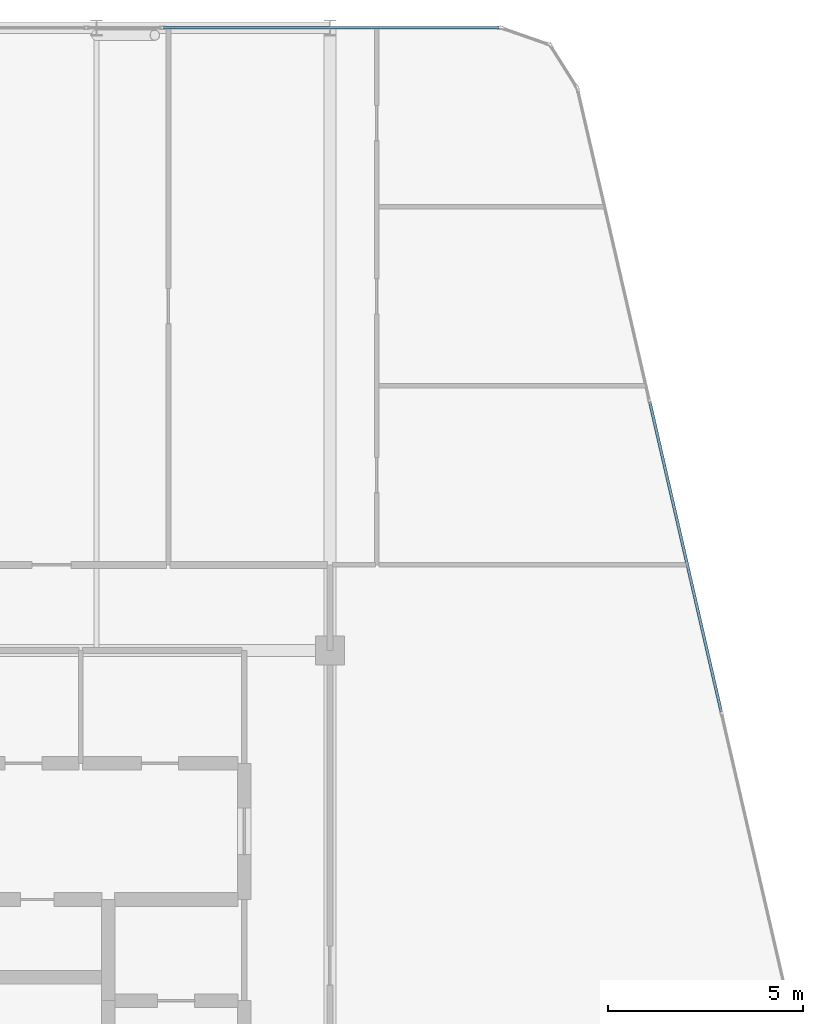
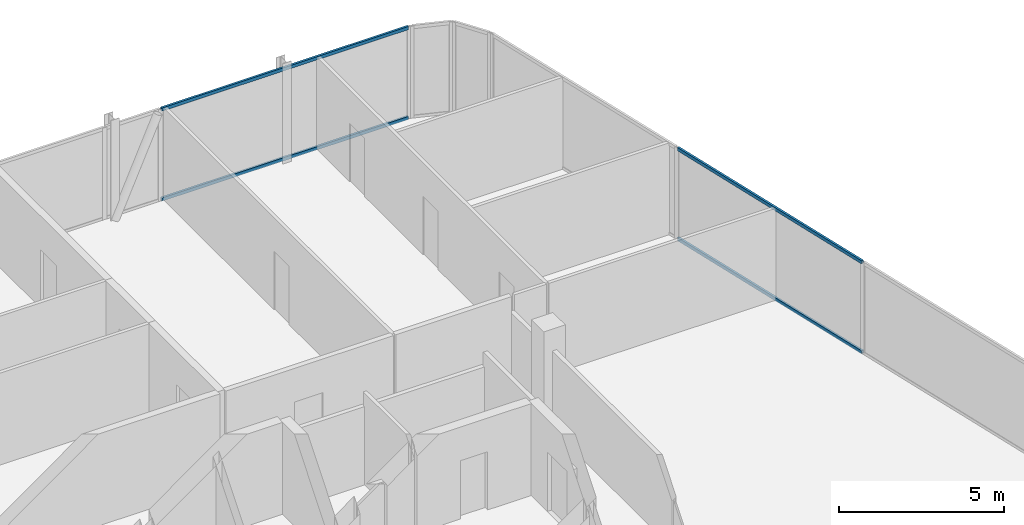
# One storey, part 18 of 27: 4 members, 2 elements without a shape of their own.
"""IFC4 building model written with IfcOpenShell, lengths in metres."""

from ifc_helpers import new_model, si_unit, direction, frame, origin, origin_2d, place, context, subcontext, project, spatial, hollow_rectangle, extrude, material, layer, layer_set, material_profile, profile_set, type_object, element, aggregate, save


model = new_model("IFC4")

# Units and contexts
model_context = context("Model", 3, precision=1e-05, world=origin(), true_north=direction((0.0, 1.0)))
body_context = subcontext(model_context, "Body", "Model", "MODEL_VIEW")
ifc_project = project(units=[si_unit("LENGTHUNIT", "METRE"), si_unit("AREAUNIT", "SQUARE_METRE"), si_unit("VOLUMEUNIT", "CUBIC_METRE"), si_unit("PLANEANGLEUNIT", "RADIAN"), si_unit("MASSUNIT", "GRAM", prefix="KILO")], contexts=[model_context])

# Site, building, storey
site_placement = place(None, origin())
site = spatial("IfcSite", under=ifc_project, at=site_placement, CompositionType="ELEMENT")
building_placement = place(site_placement, origin())
building = spatial("IfcBuilding", under=site, at=building_placement, Name="Keshet Zoharim Tower", CompositionType="ELEMENT")
storey_placement = place(building_placement, frame((0.0, 0.0, 254.699951171875)))
storey = spatial("IfcBuildingStorey", under=building, at=storey_placement, Name="L63", CompositionType="ELEMENT", Elevation=254.699951171875)

# Curtain wall, members
ifc_material = material(Name="Aluminium 6063-T6", Category="aluminium")
ifc_layer = layer(ifc_material, 0.260009765625)
ifc_layer_set = layer_set([ifc_layer], Name="Aluminium 6063-T6")
curtain_wall_type = type_object("IfcCurtainWallType", Name="CW-SYS-06", PredefinedType="NOTDEFINED", material=ifc_layer_set)
curtain_wall_1_placement = place(storey_placement, origin())
curtain_wall_1 = element("IfcCurtainWall", 1, at=curtain_wall_1_placement, inside=storey, type_object=curtain_wall_type, Name="L63 Unitised Curtain Wall 06 Part 5", PredefinedType="NOTDEFINED")
ifc_material_profile = material_profile(ifc_material, hollow_rectangle(XDim=0.074951171875, YDim=0.1201171875, WallThickness=0.00390625, at=origin_2d()), Name="TRN-75x120")
ifc_profile_set = profile_set([ifc_material_profile], Name="Aluminium 6063-T6")
member_type = type_object("IfcMemberType", Name="CWT-T12", PredefinedType="USERDEFINED", material=ifc_profile_set)
member_1_placement = place(storey_placement, frame((28.724853515625, 53.89990234375, 0.03515625), z_axis=(1.0, 0.0, 0.0), x_axis=(0.0, 1.0, 0.0)))
member_1 = element("IfcMember", 2, at=member_1_placement, type_object=member_type, Name="CW-06 transom 1.1", ObjectType="TRANSOM", PredefinedType="USERDEFINED", context=body_context, shape_type="SweptSolid", body=[
    extrude(hollow_rectangle(XDim=0.074951171875, YDim=0.1201171875, WallThickness=0.00390625, at=origin_2d()), origin(), (0.0, 0.0, 1.0), 8.6142578125),
])
member_2_placement = place(storey_placement, frame((28.724853515625, 53.89990234375, 3.35498046875), z_axis=(1.0, 0.0, 0.0), x_axis=(0.0, 1.0, 0.0)))
member_2 = element("IfcMember", 3, at=member_2_placement, type_object=member_type, Name="CW-06 transom 1.2", ObjectType="TRANSOM", PredefinedType="USERDEFINED", context=body_context, shape_type="SweptSolid", body=[
    extrude(hollow_rectangle(XDim=0.074951171875, YDim=0.1201171875, WallThickness=0.00390625, at=origin_2d()), origin(), (0.0, 0.0, 1.0), 8.6142578125),
])
aggregate(curtain_wall_1, [member_1, member_2])

curtain_wall_2_placement = place(storey_placement, origin())
curtain_wall_2 = element("IfcCurtainWall", 4, at=curtain_wall_2_placement, inside=storey, type_object=curtain_wall_type, Name="L63 Unitised Curtain Wall 09", PredefinedType="NOTDEFINED")
member_3_placement = place(storey_placement, frame((41.218505859375, 44.28662109375, 0.03515625), z_axis=(0.224826771459, -0.974398749402, 0.0), x_axis=(0.974398749402, 0.224826771459, 0.0)))
member_3 = element("IfcMember", 5, at=member_3_placement, type_object=member_type, Name="CW-06 transom 2.1", ObjectType="TRANSOM", PredefinedType="USERDEFINED", context=body_context, shape_type="SweptSolid", body=[
    extrude(hollow_rectangle(XDim=0.074951171875, YDim=0.1201171875, WallThickness=0.00390625, at=origin_2d()), origin(), (0.0, 0.0, 1.0), 8.17041015625),
])
member_4_placement = place(storey_placement, frame((41.218505859375, 44.28662109375, 3.35498046875), z_axis=(0.224826771459, -0.974398749402, 0.0), x_axis=(0.974398749402, 0.224826771459, 0.0)))
member_4 = element("IfcMember", 6, at=member_4_placement, type_object=member_type, Name="CW-06 transom 2.2", ObjectType="TRANSOM", PredefinedType="USERDEFINED", context=body_context, shape_type="SweptSolid", body=[
    extrude(hollow_rectangle(XDim=0.074951171875, YDim=0.1201171875, WallThickness=0.00390625, at=origin_2d()), origin(), (0.0, 0.0, 1.0), 8.17041015625),
])
aggregate(curtain_wall_2, [member_3, member_4])

save(model, "model.ifc")
